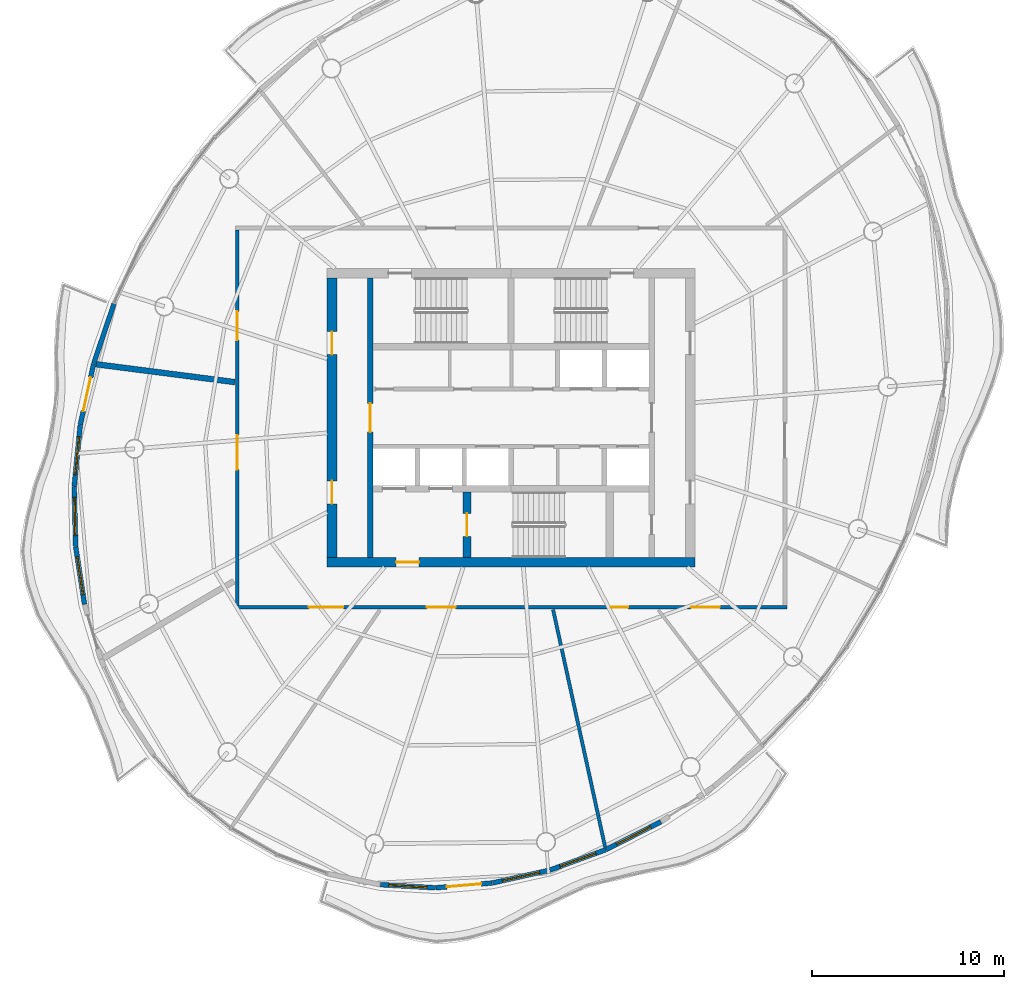
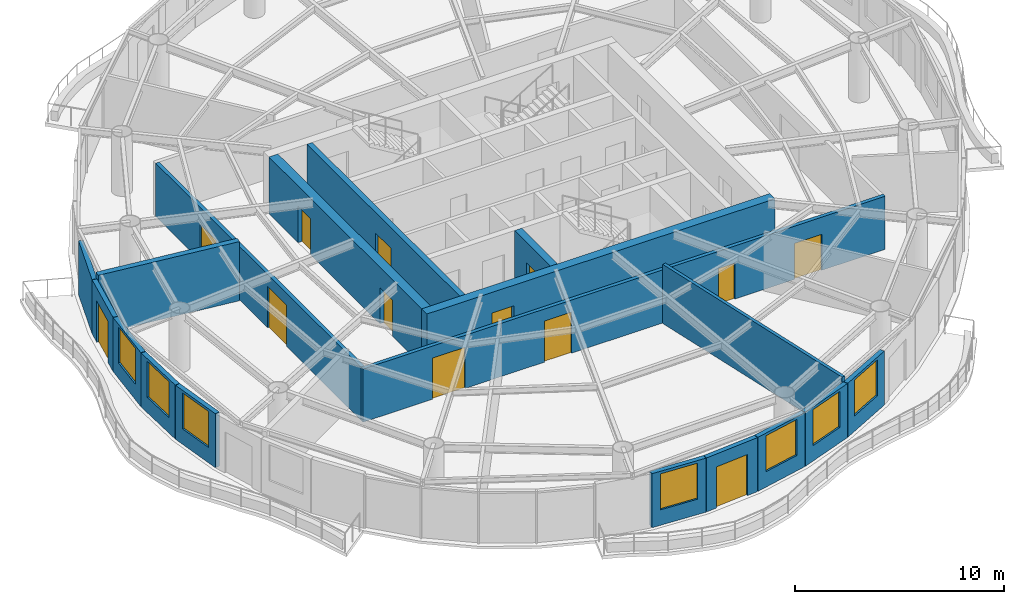
# One storey, part 8 of 14: 18 walls, 13 doors, 7 windows, 20 openings.
"""IFC4 building model written with IfcOpenShell, lengths in metres."""

import ifcopenshell
import ifcopenshell.guid

model = None  # the IFC model being written
_history = None  # IfcOwnerHistory: only IFC2X3 demands one
_inside = {}  # id of a spatial element -> (the spatial element, [elements in it])
_under = {}  # id of a project, library or spatial element -> (it, [spatial elements below it])
_declared = {}  # id of a project -> (the project, [libraries it declares])
_typed = {}  # id of a type object -> (the type object, [elements of that type])
_made_of = {}  # id of a material, layer set ... -> (it, [elements and type objects made of it])


def new_model(schema):
    """Start an empty IFC model of exactly this schema.

    Asked for "IFC4X3", IfcOpenShell would pick the latest addendum, in which some entities
    have other attributes; the version numbers below select the first issue.
    IFC2X3 requires an IfcOwnerHistory on every rooted entity: one is made here for all.
    """
    global model, _history
    if schema == "IFC4X3":
        model = ifcopenshell.file(schema_version=(4, 3, 0, 0))
    else:
        model = ifcopenshell.file(schema=schema)
    _inside.clear()
    _under.clear()
    _declared.clear()
    _typed.clear()
    _made_of.clear()
    _history = None
    if model.schema == "IFC2X3":
        org = make("IfcOrganization", Name="unknown")
        user = make(
            "IfcPersonAndOrganization",
            ThePerson=make("IfcPerson", FamilyName="unknown"),
            TheOrganization=org,
        )
        app = make(
            "IfcApplication",
            ApplicationDeveloper=org,
            Version="unknown",
            ApplicationFullName="unknown",
            ApplicationIdentifier="unknown",
        )
        _history = make(
            "IfcOwnerHistory",
            OwningUser=user,
            OwningApplication=app,
            ChangeAction="ADDED",
            CreationDate=0,
        )
    return model


def make(cls, **values):
    """One entity of the class cls with the attributes given. An attribute that is None is left unset."""
    return model.create_entity(
        cls, **{name: value for name, value in values.items() if value is not None}
    )


def rooted(cls, **values):
    """An entity with a GlobalId (a new one), such as an element, a storey or a relation."""
    return make(cls, GlobalId=ifcopenshell.guid.new(), OwnerHistory=_history, **values)


def si_unit(unit_type, name, prefix=None):
    """IfcSIUnit, for example si_unit("LENGTHUNIT", "METRE", prefix="MILLI")."""
    return make("IfcSIUnit", UnitType=unit_type, Prefix=prefix, Name=name)


def assignment(units):
    """IfcUnitAssignment: the units of a project."""
    return None if units is None else make("IfcUnitAssignment", Units=units)


def point(xyz):
    """IfcCartesianPoint."""
    return None if xyz is None else make("IfcCartesianPoint", Coordinates=xyz)


def direction(xyz):
    """IfcDirection."""
    return None if xyz is None else make("IfcDirection", DirectionRatios=xyz)


def frame(location, z_axis=None, x_axis=None):
    """IfcAxis2Placement3D, a coordinate frame: its origin and axes. An axis left out is left unset."""
    return make(
        "IfcAxis2Placement3D",
        Location=point(location),
        Axis=direction(z_axis),
        RefDirection=direction(x_axis),
    )


def frame_2d(location, x_axis=None):
    """IfcAxis2Placement2D, a coordinate frame in the plane: its origin and x axis."""
    return make(
        "IfcAxis2Placement2D", Location=point(location), RefDirection=direction(x_axis)
    )


def origin():
    """The frame at (0, 0, 0) with its axes left unset."""
    return frame((0.0, 0.0, 0.0))


def place(relative_to, where):
    """IfcLocalPlacement: puts the frame where relative to a parent placement (None: the world)."""
    return make(
        "IfcLocalPlacement", PlacementRelTo=relative_to, RelativePlacement=where
    )


def context(
    kind, dimensions, precision=None, world=None, true_north=None, identifier=None
):
    """IfcGeometricRepresentationContext, for example the 3D "Model" context."""
    return make(
        "IfcGeometricRepresentationContext",
        ContextIdentifier=identifier,
        ContextType=kind,
        CoordinateSpaceDimension=dimensions,
        Precision=precision,
        WorldCoordinateSystem=world,
        TrueNorth=true_north,
    )


def subcontext(parent, identifier, kind, view, scale=None):
    """IfcGeometricRepresentationSubContext, for example "Body" below "Model"."""
    return make(
        "IfcGeometricRepresentationSubContext",
        ContextIdentifier=identifier,
        ContextType=kind,
        ParentContext=parent,
        TargetScale=scale,
        TargetView=view,
    )


def project(units=None, contexts=None):
    """IfcProject with its units and contexts."""
    return rooted(
        "IfcProject",
        Name="project",
        RepresentationContexts=contexts,
        UnitsInContext=assignment(units),
    )


def spatial(cls, under=None, at=None, **own):
    """A site, building, storey or space (cls), placed at a placement, below another one or the project."""
    s = rooted(cls, ObjectPlacement=at, **own)
    if under is not None:
        _under.setdefault(under.id(), (under, []))[1].append(s)
    return s


def profile(cls, at=None, kind="AREA", **sizes):
    """A parametric profile (cls). Its sizes go by their IFC names, for example OverallWidth=200.0."""
    return make(cls, ProfileType=kind, Position=at, **sizes)


def rectangle(**sizes):
    """IfcRectangleProfileDef."""
    return profile("IfcRectangleProfileDef", **sizes)


def extrude(swept, where, along, depth):
    """IfcExtrudedAreaSolid: the profile swept, set in the frame where, extruded along a direction by depth."""
    return make(
        "IfcExtrudedAreaSolid",
        SweptArea=swept,
        Position=where,
        ExtrudedDirection=direction(along),
        Depth=depth,
    )


def shape(context_of_items, identifier, shape_type, items):
    """IfcShapeRepresentation: the items that make up one representation, for example the "Body"."""
    return make(
        "IfcShapeRepresentation",
        ContextOfItems=context_of_items,
        RepresentationIdentifier=identifier,
        RepresentationType=shape_type,
        Items=items,
    )


def material(Name=None, Category=None):
    """IfcMaterial."""
    return make("IfcMaterial", Name=Name, Category=Category)


def layer(
    of_material, thickness, ventilated=None, Name=None, Category=None, Priority=None
):
    """IfcMaterialLayer: one layer of a wall or slab, of a material (None: an air gap)."""
    return make(
        "IfcMaterialLayer",
        Material=of_material,
        LayerThickness=thickness,
        IsVentilated=ventilated,
        Name=Name,
        Category=Category,
        Priority=Priority,
    )


def layer_set(layers, Name=None):
    """IfcMaterialLayerSet."""
    return make("IfcMaterialLayerSet", MaterialLayers=layers, LayerSetName=Name)


def made_of(thing, what):
    """Note that an element or type object is made of a material, layer set ...; save() writes the relation."""
    if what is not None:
        _made_of.setdefault(what.id(), (what, []))[1].append(thing)
    return thing


def type_object(cls, material=None, **own):
    """A type object (cls), such as IfcWallType, which elements share."""
    return made_of(rooted(cls, **own), material)


def element(
    cls,
    number,
    at=None,
    inside=None,
    cuts=None,
    type_object=None,
    material=None,
    context=None,
    identifier="Body",
    shape_type=None,
    held_by="IfcProductDefinitionShape",
    body=None,
    shapes=None,
    **own,
):
    """One element of the class cls, such as IfcWall. Its Tag is "e" and its number.

    at: its placement. inside: the storey or other place that contains it. cuts: it is an
    opening in that element (IfcRelVoidsElement). A single representation is given by context,
    identifier, shape_type and body (its items); several are given by shapes. held_by: the class
    of the entity that holds the representations. save() writes the other relations.
    """
    e = rooted(cls, Tag="e%d" % number, ObjectPlacement=at, **own)
    if body is not None:
        shapes = [shape(context, identifier, shape_type, body)]
    if shapes is not None:
        e.Representation = make(held_by, Representations=shapes)
    if inside is not None:
        _inside.setdefault(inside.id(), (inside, []))[1].append(e)
    if cuts is not None:
        rooted(
            "IfcRelVoidsElement", RelatingBuildingElement=cuts, RelatedOpeningElement=e
        )
    if type_object is not None:
        _typed.setdefault(type_object.id(), (type_object, []))[1].append(e)
    return made_of(e, material)


def fill(opening, filler):
    """IfcRelFillsElement: the door or window that sits in an opening."""
    return rooted(
        "IfcRelFillsElement",
        RelatingOpeningElement=opening,
        RelatedBuildingElement=filler,
    )


def aggregate(whole, parts):
    """IfcRelAggregates: a whole, such as a stair, and the parts it consists of."""
    return rooted("IfcRelAggregates", RelatingObject=whole, RelatedObjects=parts)


def save(model, path):
    """Write the relations noted so far, then the file.

    IfcRelAggregates (storeys below a building ...), IfcRelContainedInSpatialStructure (elements
    in a storey), IfcRelDefinesByType, IfcRelAssociatesMaterial and IfcRelDeclares: one each for
    every whole, place, type object, material and project.
    """
    for whole, parts in _under.values():
        aggregate(whole, parts)
    for where, things in _inside.values():
        rooted(
            "IfcRelContainedInSpatialStructure",
            RelatedElements=things,
            RelatingStructure=where,
        )
    for kind, things in _typed.values():
        rooted("IfcRelDefinesByType", RelatedObjects=things, RelatingType=kind)
    for what, things in _made_of.values():
        rooted("IfcRelAssociatesMaterial", RelatedObjects=things, RelatingMaterial=what)
    for by, libraries in _declared.values():
        rooted("IfcRelDeclares", RelatingContext=by, RelatedDefinitions=libraries)
    model.write(path)


model = new_model("IFC4")

# Units and contexts
model_context = context("Model", 3, precision=1e-05, world=origin(), true_north=direction((0.0, 1.0)))
body_context = subcontext(model_context, "Body", "Model", "MODEL_VIEW")
ifc_project = project(units=[si_unit("LENGTHUNIT", "METRE"), si_unit("AREAUNIT", "SQUARE_METRE"), si_unit("VOLUMEUNIT", "CUBIC_METRE"), si_unit("PLANEANGLEUNIT", "RADIAN"), si_unit("MASSUNIT", "GRAM", prefix="KILO")], contexts=[model_context])

# Site, building, storey
site_placement = place(None, origin())
site = spatial("IfcSite", under=ifc_project, at=site_placement, CompositionType="ELEMENT")
building_placement = place(site_placement, origin())
building = spatial("IfcBuilding", under=site, at=building_placement, Name="Vermilion Reach Broadcast Tower", CompositionType="ELEMENT")
storey_placement = place(building_placement, frame((0.0, 0.0, 257.699951171875)))
storey = spatial("IfcBuildingStorey", under=building, at=storey_placement, Name="L63", CompositionType="ELEMENT", Elevation=257.699951171875)

# Wall, opening, door
ifc_material_1 = material(Name="Concrete C50", Category="concrete")
ifc_layer_1 = layer(ifc_material_1, 0.300048828125)
ifc_layer_set_1 = layer_set([ifc_layer_1], Name="Core inner wall 300 mm Concrete C50")
wall_type_1 = type_object("IfcWallType", Name="Core inner wall 300 mm Concrete C50", PredefinedType="SHEAR", material=ifc_layer_set_1)
wall_1_placement = place(storey_placement, frame((-13.35009765625, 7.300048828125, 0.0), z_axis=(0.0, 0.0, 1.0), x_axis=(0.0, -1.0, 0.0)))
wall_1 = element("IfcWall", 1, at=wall_1_placement, inside=storey, type_object=wall_type_1, Name="L63 core wall ewW", PredefinedType="SHEAR", context=body_context, shape_type="SweptSolid", body=[
    extrude(rectangle(XDim=14.60009765625, YDim=0.300048828125, at=frame_2d((7.300048828125, 0.0))), origin(), (0.0, 0.0, 1.0), 3.300048828125),
])
opening_1_placement = place(wall_1_placement, frame((6.550048828125, 0.0, 0.0)))
opening_1 = element("IfcOpeningElement", 2, at=opening_1_placement, cuts=wall_1, Name="Opening D04", PredefinedType="OPENING", context=body_context, shape_type="SweptSolid", body=[
    extrude(rectangle(XDim=1.5, YDim=2.10009765625, at=frame_2d((0.75, 1.050048828125))), frame((0.0, 0.159912109375, 0.0), z_axis=(0.0, -1.0, 0.0), x_axis=(1.0, 0.0, 0.0)), (0.0, 0.0, 1.0), 0.320068359375),
])
ifc_material_2 = material(Name="Painted steel fire door", Category="steel")
door_type_1 = type_object("IfcDoorType", Name="Lift lobby door 1500 x 2100", OperationType="DOUBLE_DOOR_SINGLE_SWING", PredefinedType="NOTDEFINED", material=ifc_material_2)
door_1_placement = place(opening_1_placement, origin())
door_1 = element("IfcDoor", 3, at=door_1_placement, inside=storey, type_object=door_type_1, Name="L63 band door BW", OperationType="DOUBLE_DOOR_SINGLE_SWING", OverallHeight=2.10009765625, OverallWidth=1.5, PredefinedType="NOTDEFINED", context=body_context, shape_type="SweptSolid", body=[
    extrude(rectangle(XDim=1.5, YDim=2.10009765625, at=frame_2d((0.75, 1.050048828125))), frame((0.0, 0.02490234375, 0.0), z_axis=(0.0, -1.0, 0.0), x_axis=(1.0, 0.0, 0.0)), (0.0, 0.0, 1.0), 0.050048828125),
])
fill(opening_1, door_1)

ifc_material_3 = material(Name="Concrete C50", Category="concrete")
ifc_layer_2 = layer(ifc_material_3, 0.39990234375)
ifc_layer_set_2 = layer_set([ifc_layer_2], Name="Core inner wall 400 mm Concrete C50")
wall_type_2 = type_object("IfcWallType", Name="Core inner wall 400 mm Concrete C50", PredefinedType="SHEAR", material=ifc_layer_set_2)
wall_2_placement = place(storey_placement, frame((-8.300048828125, -3.8798828125, 0.0), z_axis=(0.0, 0.0, 1.0), x_axis=(0.0, -1.0, 0.0)))
wall_2 = element("IfcWall", 4, at=wall_2_placement, inside=storey, type_object=wall_type_2, Name="L63 core wall wa", PredefinedType="SHEAR", context=body_context, shape_type="SweptSolid", body=[
    extrude(rectangle(XDim=3.420166015625, YDim=0.39990234375, at=frame_2d((1.7099609375, 0.0))), origin(), (0.0, 0.0, 1.0), 3.300048828125),
])
opening_2_placement = place(wall_2_placement, frame((1.110107421875, 0.0, 0.0)))
opening_2 = element("IfcOpeningElement", 5, at=opening_2_placement, cuts=wall_2, Name="Opening D01", PredefinedType="OPENING", context=body_context, shape_type="SweptSolid", body=[
    extrude(rectangle(XDim=1.199951171875, YDim=2.10009765625, at=frame_2d((0.60009765625, 1.050048828125))), frame((0.0, 0.2099609375, 0.0), z_axis=(0.0, -1.0, 0.0), x_axis=(1.0, 0.0, 0.0)), (0.0, 0.0, 1.0), 0.419921875),
])
ifc_material_4 = material(Name="Painted steel fire door", Category="steel")
door_type_2 = type_object("IfcDoorType", Name="Stair door 1200 x 2100", OperationType="DOUBLE_DOOR_SINGLE_SWING", PredefinedType="NOTDEFINED", material=ifc_material_4)
door_2_placement = place(opening_2_placement, origin())
door_2 = element("IfcDoor", 6, at=door_2_placement, inside=storey, type_object=door_type_2, Name="L63 stair door ST3", OperationType="DOUBLE_DOOR_SINGLE_SWING", OverallHeight=2.10009765625, OverallWidth=1.199951171875, PredefinedType="NOTDEFINED", context=body_context, shape_type="SweptSolid", body=[
    extrude(rectangle(XDim=1.199951171875, YDim=2.10009765625, at=frame_2d((0.60009765625, 1.050048828125))), frame((0.0, 0.02490234375, 0.0), z_axis=(0.0, -1.0, 0.0), x_axis=(1.0, 0.0, 0.0)), (0.0, 0.0, 1.0), 0.050048828125),
])
fill(opening_2, door_2)

ifc_material_5 = material(Name="Concrete C50", Category="concrete")
ifc_layer_3 = layer(ifc_material_5, 0.5)
ifc_layer_set_3 = layer_set([ifc_layer_3], Name="Core outer wall 500 mm Concrete C50")
wall_type_3 = type_object("IfcWallType", Name="Core outer wall 500 mm Concrete C50", PredefinedType="SHEAR", material=ifc_layer_set_3)
wall_3_placement = place(storey_placement, frame((-15.60009765625, -7.550048828125, 0.0), z_axis=(0.0, 0.0, 1.0), x_axis=(1.0, 0.0, 0.0)))
wall_3 = element("IfcWall", 7, at=wall_3_placement, inside=storey, type_object=wall_type_3, Name="L63 core wall os", PredefinedType="SHEAR", context=body_context, shape_type="SweptSolid", body=[
    extrude(rectangle(XDim=19.2001953125, YDim=0.5, at=frame_2d((9.60009765625, 0.0))), origin(), (0.0, 0.0, 1.0), 3.300048828125),
])
opening_3_placement = place(wall_3_placement, frame((3.60009765625, 0.0, 0.0)))
opening_3 = element("IfcOpeningElement", 8, at=opening_3_placement, cuts=wall_3, Name="Opening D02", PredefinedType="OPENING", context=body_context, shape_type="SweptSolid", body=[
    extrude(rectangle(XDim=1.199951171875, YDim=2.10009765625, at=frame_2d((0.60009765625, 1.050048828125))), frame((0.0, 0.260009765625, 0.0), z_axis=(0.0, -1.0, 0.0), x_axis=(1.0, 0.0, 0.0)), (0.0, 0.0, 1.0), 0.52001953125),
])
ifc_material_6 = material(Name="Painted steel fire door", Category="steel")
door_type_3 = type_object("IfcDoorType", Name="Firefighting lobby door 1200 x 2100", OperationType="DOUBLE_DOOR_SINGLE_SWING", PredefinedType="NOTDEFINED", material=ifc_material_6)
door_3_placement = place(opening_3_placement, origin())
door_3 = element("IfcDoor", 9, at=door_3_placement, inside=storey, type_object=door_type_3, Name="L63 ffdoor door FFL", OperationType="DOUBLE_DOOR_SINGLE_SWING", OverallHeight=2.10009765625, OverallWidth=1.199951171875, PredefinedType="NOTDEFINED", context=body_context, shape_type="SweptSolid", body=[
    extrude(rectangle(XDim=1.199951171875, YDim=2.10009765625, at=frame_2d((0.60009765625, 1.050048828125))), frame((0.0, 0.02490234375, 0.0), z_axis=(0.0, -1.0, 0.0), x_axis=(1.0, 0.0, 0.0)), (0.0, 0.0, 1.0), 0.050048828125),
])
fill(opening_3, door_3)

# Wall, openings, doors
wall_4_placement = place(storey_placement, frame((-15.35009765625, 7.300048828125, 0.0), z_axis=(0.0, 0.0, 1.0), x_axis=(0.0, -1.0, 0.0)))
wall_4 = element("IfcWall", 10, at=wall_4_placement, inside=storey, type_object=wall_type_3, Name="L63 core wall ow", PredefinedType="SHEAR", context=body_context, shape_type="SweptSolid", body=[
    extrude(rectangle(XDim=14.60009765625, YDim=0.5, at=frame_2d((7.300048828125, 0.0))), origin(), (0.0, 0.0, 1.0), 3.300048828125),
])
opening_4_placement = place(wall_4_placement, frame((10.60009765625, 0.0, 0.0)))
opening_4 = element("IfcOpeningElement", 11, at=opening_4_placement, cuts=wall_4, Name="Opening D03", PredefinedType="OPENING", context=body_context, shape_type="SweptSolid", body=[
    extrude(rectangle(XDim=1.199951171875, YDim=2.10009765625, at=frame_2d((0.60009765625, 1.050048828125))), frame((0.0, 0.260009765625, 0.0), z_axis=(0.0, -1.0, 0.0), x_axis=(1.0, 0.0, 0.0)), (0.0, 0.0, 1.0), 0.52001953125),
])
opening_5_placement = place(wall_4_placement, frame((2.800048828125, 0.0, 0.0)))
opening_5 = element("IfcOpeningElement", 12, at=opening_5_placement, cuts=wall_4, Name="Opening D03", PredefinedType="OPENING", context=body_context, shape_type="SweptSolid", body=[
    extrude(rectangle(XDim=1.199951171875, YDim=2.10009765625, at=frame_2d((0.60009765625, 1.050048828125))), frame((0.0, 0.260009765625, 0.0), z_axis=(0.0, -1.0, 0.0), x_axis=(1.0, 0.0, 0.0)), (0.0, 0.0, 1.0), 0.52001953125),
])
ifc_material_7 = material(Name="Painted steel fire door", Category="steel")
door_type_4 = type_object("IfcDoorType", Name="Core lobby door 1200 x 2100", OperationType="DOUBLE_DOOR_SINGLE_SWING", PredefinedType="NOTDEFINED", material=ifc_material_7)
door_4_placement = place(opening_4_placement, origin())
door_4 = element("IfcDoor", 13, at=door_4_placement, inside=storey, type_object=door_type_4, Name="L63 slot door W0", OperationType="DOUBLE_DOOR_SINGLE_SWING", OverallHeight=2.10009765625, OverallWidth=1.199951171875, PredefinedType="NOTDEFINED", context=body_context, shape_type="SweptSolid", body=[
    extrude(rectangle(XDim=1.199951171875, YDim=2.10009765625, at=frame_2d((0.60009765625, 1.050048828125))), frame((0.0, 0.02490234375, 0.0), z_axis=(0.0, -1.0, 0.0), x_axis=(1.0, 0.0, 0.0)), (0.0, 0.0, 1.0), 0.050048828125),
])
fill(opening_4, door_4)
door_5_placement = place(opening_5_placement, origin())
door_5 = element("IfcDoor", 14, at=door_5_placement, inside=storey, type_object=door_type_4, Name="L63 slot door W1", OperationType="DOUBLE_DOOR_SINGLE_SWING", OverallHeight=2.10009765625, OverallWidth=1.199951171875, PredefinedType="NOTDEFINED", context=body_context, shape_type="SweptSolid", body=[
    extrude(rectangle(XDim=1.199951171875, YDim=2.10009765625, at=frame_2d((0.60009765625, 1.050048828125))), frame((0.0, 0.02490234375, 0.0), z_axis=(0.0, -1.0, 0.0), x_axis=(1.0, 0.0, 0.0)), (0.0, 0.0, 1.0), 0.050048828125),
])
fill(opening_5, door_5)

# Walls
ifc_material_8 = material(Name="Fire-rated block, plastered")
ifc_layer_4 = layer(ifc_material_8, 0.175048828125)
ifc_layer_set_4 = layer_set([ifc_layer_4], Name="Partition 175 fire-rated block")
wall_type_4 = type_object("IfcWallType", Name="Partition 175 fire-rated block", PredefinedType="PARTITIONING", material=ifc_layer_set_4)
wall_5_placement = place(storey_placement, frame((-1.08349609375, -22.436767578125, 0.0), z_axis=(0.0, 0.0, 1.0), x_axis=(-0.214054252259, 0.976821773452, 0.0)))
element("IfcWall", 15, at=wall_5_placement, inside=storey, type_object=wall_type_4, Name="Partition 63.06", PredefinedType="PARTITIONING", context=body_context, shape_type="SweptSolid", body=[
    extrude(rectangle(XDim=12.712646484375, YDim=0.175048828125, at=frame_2d((6.3564453125, 0.0))), origin(), (0.0, 0.0, 1.0), 3.449951171875),
])
ifc_material_9 = material(Name="Double-leaf plasterboard on isolated steel stud", Category="steel")
ifc_layer_5 = layer(ifc_material_9, 0.300048828125)
ifc_layer_set_5 = layer_set([ifc_layer_5], Name="Partition 300 acoustic double leaf")
wall_type_5 = type_object("IfcWallType", Name="Partition 300 acoustic double leaf", PredefinedType="PARTITIONING", material=ifc_layer_set_5)
wall_6_placement = place(storey_placement, frame((-27.67431640625, 2.794921875, 0.0), z_axis=(0.0, 0.0, 1.0), x_axis=(0.991788248046, -0.127890855958, 0.0)))
element("IfcWall", 16, at=wall_6_placement, inside=storey, type_object=wall_type_5, Name="Partition 63.03", PredefinedType="PARTITIONING", context=body_context, shape_type="SweptSolid", body=[
    extrude(rectangle(XDim=7.315185546875, YDim=0.300048828125, at=frame_2d((3.65771484375, 0.0))), origin(), (0.0, 0.0, 1.0), 3.449951171875),
])
ifc_material_10 = material(Name="Terracotta rainscreen cladding", Category="masonry")
ifc_layer_6 = layer(ifc_material_10, 0.25)
ifc_layer_set_6 = layer_set([ifc_layer_6], Name="Terracotta rainscreen wall 250")
wall_type_6 = type_object("IfcWallType", Name="Terracotta rainscreen wall 250", PredefinedType="SOLIDWALL", material=ifc_layer_set_6)
wall_7_placement = place(storey_placement, frame((-26.736572265625, 5.941162109375, 0.0), z_axis=(0.0, 0.0, 1.0), x_axis=(-0.32181056212, -0.946804077995, 0.0)))
element("IfcWall", 17, at=wall_7_placement, inside=storey, type_object=wall_type_6, Name="External wall L63 14", PredefinedType="SOLIDWALL", context=body_context, shape_type="SweptSolid", body=[
    extrude(rectangle(XDim=3.276611328125, YDim=0.25, at=frame_2d((1.63818359375, 0.0))), origin(), (0.0, 0.0, 1.0), 3.150146484375),
])

# Wall, opening, door
wall_8_placement = place(storey_placement, frame((-27.796875, 2.817626953125, 0.0), z_axis=(0.0, 0.0, 1.0), x_axis=(-0.213366888583, -0.97697214436, 0.0)))
wall_8 = element("IfcWall", 18, at=wall_8_placement, inside=storey, type_object=wall_type_6, Name="External wall L63 15", PredefinedType="SOLIDWALL", context=body_context, shape_type="SweptSolid", body=[
    extrude(rectangle(XDim=3.265625, YDim=0.25, at=frame_2d((1.6328125, 0.0))), origin(), (0.0, 0.0, 1.0), 3.150146484375),
])
opening_6_placement = place(wall_8_placement, frame((0.73291015625, 0.0, 0.0)))
opening_6 = element("IfcOpeningElement", 19, at=opening_6_placement, cuts=wall_8, Name="Opening D70", PredefinedType="OPENING", context=body_context, shape_type="SweptSolid", body=[
    extrude(rectangle(XDim=1.800048828125, YDim=2.39990234375, at=frame_2d((0.89990234375, 1.199951171875))), frame((0.0, 0.135009765625, 0.0), z_axis=(0.0, -1.0, 0.0), x_axis=(1.0, 0.0, 0.0)), (0.0, 0.0, 1.0), 0.27001953125),
])
ifc_material_11 = material(Name="Low-e laminated clear glass in aluminium frame", Category="aluminium")
door_type_5 = type_object("IfcDoorType", Name="Balcony sliding door 1800 x 2400", OperationType="DOUBLE_DOOR_SLIDING", PredefinedType="DOOR", material=ifc_material_11)
door_6_placement = place(opening_6_placement, origin())
door_6 = element("IfcDoor", 20, at=door_6_placement, inside=storey, type_object=door_type_5, Name="Balcony door L63 run 04", OperationType="DOUBLE_DOOR_SLIDING", OverallHeight=2.39990234375, OverallWidth=1.800048828125, PredefinedType="DOOR", context=body_context, shape_type="SweptSolid", body=[
    extrude(rectangle(XDim=1.800048828125, YDim=2.39990234375, at=frame_2d((0.89990234375, 1.199951171875))), frame((0.0, 0.02490234375, 0.0), z_axis=(0.0, -1.0, 0.0), x_axis=(1.0, 0.0, 0.0)), (0.0, 0.0, 1.0), 0.050048828125),
])
fill(opening_6, door_6)

# Wall, opening, window
wall_9_placement = place(storey_placement, frame((-28.4970703125, -0.395263671875, 0.0), z_axis=(0.0, 0.0, 1.0), x_axis=(-0.097900668903, -0.995196191225, 0.0)))
wall_9 = element("IfcWall", 21, at=wall_9_placement, inside=storey, type_object=wall_type_6, Name="External wall L63 16", PredefinedType="SOLIDWALL", context=body_context, shape_type="SweptSolid", body=[
    extrude(rectangle(XDim=3.197021484375, YDim=0.25, at=frame_2d((1.5986328125, 0.0))), origin(), (0.0, 0.0, 1.0), 3.150146484375),
])
opening_7_placement = place(wall_9_placement, frame((0.5986328125, 0.0, 0.89990234375)))
opening_7 = element("IfcOpeningElement", 22, at=opening_7_placement, cuts=wall_9, Name="Opening W03", PredefinedType="OPENING", context=body_context, shape_type="SweptSolid", body=[
    extrude(rectangle(XDim=2.0, YDim=2.10009765625, at=frame_2d((1.0, 1.050048828125))), frame((0.0, 0.135009765625, 0.0), z_axis=(0.0, -1.0, 0.0), x_axis=(1.0, 0.0, 0.0)), (0.0, 0.0, 1.0), 0.27001953125),
])
ifc_material_12 = material(Name="Low-e laminated clear glass in aluminium frame", Category="aluminium")
window_type = type_object("IfcWindowType", Name="Punched window 2000 x 2100 sill 900", PartitioningType="SINGLE_PANEL", PredefinedType="WINDOW", material=ifc_material_12)
window_1_placement = place(opening_7_placement, origin())
window_1 = element("IfcWindow", 23, at=window_1_placement, inside=storey, type_object=window_type, Name="Window L63 16", OverallHeight=2.10009765625, OverallWidth=2.0, PartitioningType="SINGLE_PANEL", PredefinedType="WINDOW", context=body_context, shape_type="SweptSolid", body=[
    extrude(rectangle(XDim=2.0, YDim=2.10009765625, at=frame_2d((1.0, 1.050048828125))), frame((0.0, 0.030029296875, 0.0), z_axis=(0.0, -1.0, 0.0), x_axis=(1.0, 0.0, 0.0)), (0.0, 0.0, 1.0), 0.06005859375),
])
fill(opening_7, window_1)

wall_10_placement = place(storey_placement, frame((-28.81103515625, -3.600341796875, 0.0), z_axis=(0.0, 0.0, 1.0), x_axis=(0.024112016682, -0.999709263062, 0.0)))
wall_10 = element("IfcWall", 24, at=wall_10_placement, inside=storey, type_object=wall_type_6, Name="External wall L63 17", PredefinedType="SOLIDWALL", context=body_context, shape_type="SweptSolid", body=[
    extrude(rectangle(XDim=3.11865234375, YDim=0.25, at=frame_2d((1.559326171875, 0.0))), origin(), (0.0, 0.0, 1.0), 3.150146484375),
])
opening_8_placement = place(wall_10_placement, frame((0.559326171875, 0.0, 0.89990234375)))
opening_8 = element("IfcOpeningElement", 25, at=opening_8_placement, cuts=wall_10, Name="Opening W03", PredefinedType="OPENING", context=body_context, shape_type="SweptSolid", body=[
    extrude(rectangle(XDim=2.0, YDim=2.10009765625, at=frame_2d((1.0, 1.050048828125))), frame((0.0, 0.135009765625, 0.0), z_axis=(0.0, -1.0, 0.0), x_axis=(1.0, 0.0, 0.0)), (0.0, 0.0, 1.0), 0.27001953125),
])
window_2_placement = place(opening_8_placement, origin())
window_2 = element("IfcWindow", 26, at=window_2_placement, inside=storey, type_object=window_type, Name="Window L63 17", OverallHeight=2.10009765625, OverallWidth=2.0, PartitioningType="SINGLE_PANEL", PredefinedType="WINDOW", context=body_context, shape_type="SweptSolid", body=[
    extrude(rectangle(XDim=2.0, YDim=2.10009765625, at=frame_2d((1.0, 1.050048828125))), frame((0.0, 0.030029296875, 0.0), z_axis=(0.0, -1.0, 0.0), x_axis=(1.0, 0.0, 0.0)), (0.0, 0.0, 1.0), 0.06005859375),
])
fill(opening_8, window_2)

wall_11_placement = place(storey_placement, frame((-28.733642578125, -6.741943359375, 0.0), z_axis=(0.0, 0.0, 1.0), x_axis=(0.151930263347, -0.988391215602, 0.0)))
wall_11 = element("IfcWall", 27, at=wall_11_placement, inside=storey, type_object=wall_type_6, Name="External wall L63 18", PredefinedType="SOLIDWALL", context=body_context, shape_type="SweptSolid", body=[
    extrude(rectangle(XDim=3.035400390625, YDim=0.25, at=frame_2d((1.517578125, 0.0))), origin(), (0.0, 0.0, 1.0), 3.150146484375),
])
opening_9_placement = place(wall_11_placement, frame((0.517822265625, 0.0, 0.89990234375)))
opening_9 = element("IfcOpeningElement", 28, at=opening_9_placement, cuts=wall_11, Name="Opening W03", PredefinedType="OPENING", context=body_context, shape_type="SweptSolid", body=[
    extrude(rectangle(XDim=2.0, YDim=2.10009765625, at=frame_2d((1.0, 1.050048828125))), frame((0.0, 0.135009765625, 0.0), z_axis=(0.0, -1.0, 0.0), x_axis=(1.0, 0.0, 0.0)), (0.0, 0.0, 1.0), 0.27001953125),
])
window_3_placement = place(opening_9_placement, origin())
window_3 = element("IfcWindow", 29, at=window_3_placement, inside=storey, type_object=window_type, Name="Window L63 18", OverallHeight=2.10009765625, OverallWidth=2.0, PartitioningType="SINGLE_PANEL", PredefinedType="WINDOW", context=body_context, shape_type="SweptSolid", body=[
    extrude(rectangle(XDim=2.0, YDim=2.10009765625, at=frame_2d((1.0, 1.050048828125))), frame((0.0, 0.030029296875, 0.0), z_axis=(0.0, -1.0, 0.0), x_axis=(1.0, 0.0, 0.0)), (0.0, 0.0, 1.0), 0.06005859375),
])
fill(opening_9, window_3)

wall_12_placement = place(storey_placement, frame((-12.824462890625, -24.381591796875, 0.0), z_axis=(0.0, 0.0, 1.0), x_axis=(0.998361927318, -0.057214177282, 0.0)))
wall_12 = element("IfcWall", 30, at=wall_12_placement, inside=storey, type_object=wall_type_6, Name="External wall L63 27", PredefinedType="SOLIDWALL", context=body_context, shape_type="SweptSolid", body=[
    extrude(rectangle(XDim=2.8759765625, YDim=0.25, at=frame_2d((1.43798828125, 0.0))), origin(), (0.0, 0.0, 1.0), 3.150146484375),
])
opening_10_placement = place(wall_12_placement, frame((0.438232421875, 0.0, 0.89990234375)))
opening_10 = element("IfcOpeningElement", 31, at=opening_10_placement, cuts=wall_12, Name="Opening W03", PredefinedType="OPENING", context=body_context, shape_type="SweptSolid", body=[
    extrude(rectangle(XDim=2.0, YDim=2.10009765625, at=frame_2d((1.0, 1.050048828125))), frame((0.0, 0.135009765625, 0.0), z_axis=(0.0, -1.0, 0.0), x_axis=(1.0, 0.0, 0.0)), (0.0, 0.0, 1.0), 0.27001953125),
])
window_4_placement = place(opening_10_placement, origin())
window_4 = element("IfcWindow", 32, at=window_4_placement, inside=storey, type_object=window_type, Name="Window L63 27", OverallHeight=2.10009765625, OverallWidth=2.0, PartitioningType="SINGLE_PANEL", PredefinedType="WINDOW", context=body_context, shape_type="SweptSolid", body=[
    extrude(rectangle(XDim=2.0, YDim=2.10009765625, at=frame_2d((1.0, 1.050048828125))), frame((0.0, 0.030029296875, 0.0), z_axis=(0.0, -1.0, 0.0), x_axis=(1.0, 0.0, 0.0)), (0.0, 0.0, 1.0), 0.06005859375),
])
fill(opening_10, window_4)

# Wall, opening, door
wall_13_placement = place(storey_placement, frame((-9.92724609375, -24.545654296875, 0.0), z_axis=(0.0, 0.0, 1.0), x_axis=(0.996387742916, 0.084920349541, 0.0)))
wall_13 = element("IfcWall", 33, at=wall_13_placement, inside=storey, type_object=wall_type_6, Name="External wall L63 28", PredefinedType="SOLIDWALL", context=body_context, shape_type="SweptSolid", body=[
    extrude(rectangle(XDim=2.95263671875, YDim=0.25, at=frame_2d((1.476318359375, 0.0))), origin(), (0.0, 0.0, 1.0), 3.150146484375),
])
opening_11_placement = place(wall_13_placement, frame((0.575927734375, 0.0, 0.0)))
opening_11 = element("IfcOpeningElement", 34, at=opening_11_placement, cuts=wall_13, Name="Opening D70", PredefinedType="OPENING", context=body_context, shape_type="SweptSolid", body=[
    extrude(rectangle(XDim=1.800048828125, YDim=2.39990234375, at=frame_2d((0.89990234375, 1.199951171875))), frame((0.0, 0.135009765625, 0.0), z_axis=(0.0, -1.0, 0.0), x_axis=(1.0, 0.0, 0.0)), (0.0, 0.0, 1.0), 0.27001953125),
])
door_7_placement = place(opening_11_placement, origin())
door_7 = element("IfcDoor", 35, at=door_7_placement, inside=storey, type_object=door_type_5, Name="Balcony door L63 run 07", OperationType="DOUBLE_DOOR_SLIDING", OverallHeight=2.39990234375, OverallWidth=1.800048828125, PredefinedType="DOOR", context=body_context, shape_type="SweptSolid", body=[
    extrude(rectangle(XDim=1.800048828125, YDim=2.39990234375, at=frame_2d((0.89990234375, 1.199951171875))), frame((0.0, 0.02490234375, 0.0), z_axis=(0.0, -1.0, 0.0), x_axis=(1.0, 0.0, 0.0)), (0.0, 0.0, 1.0), 0.050048828125),
])
fill(opening_11, door_7)

# Wall, opening, window
wall_14_placement = place(storey_placement, frame((-6.960693359375, -24.291015625, 0.0), z_axis=(0.0, 0.0, 1.0), x_axis=(0.975828037389, 0.218539793734, 0.0)))
wall_14 = element("IfcWall", 36, at=wall_14_placement, inside=storey, type_object=wall_type_6, Name="External wall L63 29", PredefinedType="SOLIDWALL", context=body_context, shape_type="SweptSolid", body=[
    extrude(rectangle(XDim=3.035400390625, YDim=0.25, at=frame_2d((1.517578125, 0.0))), origin(), (0.0, 0.0, 1.0), 3.150146484375),
])
opening_12_placement = place(wall_14_placement, frame((0.517822265625, 0.0, 0.89990234375)))
opening_12 = element("IfcOpeningElement", 37, at=opening_12_placement, cuts=wall_14, Name="Opening W03", PredefinedType="OPENING", context=body_context, shape_type="SweptSolid", body=[
    extrude(rectangle(XDim=2.0, YDim=2.10009765625, at=frame_2d((1.0, 1.050048828125))), frame((0.0, 0.135009765625, 0.0), z_axis=(0.0, -1.0, 0.0), x_axis=(1.0, 0.0, 0.0)), (0.0, 0.0, 1.0), 0.27001953125),
])
window_5_placement = place(opening_12_placement, origin())
window_5 = element("IfcWindow", 38, at=window_5_placement, inside=storey, type_object=window_type, Name="Window L63 29", OverallHeight=2.10009765625, OverallWidth=2.0, PartitioningType="SINGLE_PANEL", PredefinedType="WINDOW", context=body_context, shape_type="SweptSolid", body=[
    extrude(rectangle(XDim=2.0, YDim=2.10009765625, at=frame_2d((1.0, 1.050048828125))), frame((0.0, 0.030029296875, 0.0), z_axis=(0.0, -1.0, 0.0), x_axis=(1.0, 0.0, 0.0)), (0.0, 0.0, 1.0), 0.06005859375),
])
fill(opening_12, window_5)

wall_15_placement = place(storey_placement, frame((-3.9755859375, -23.62109375, 0.0), z_axis=(0.0, 0.0, 1.0), x_axis=(0.93980485135, 0.341711634831, 0.0)))
wall_15 = element("IfcWall", 39, at=wall_15_placement, inside=storey, type_object=wall_type_6, Name="External wall L63 30", PredefinedType="SOLIDWALL", context=body_context, shape_type="SweptSolid", body=[
    extrude(rectangle(XDim=3.11865234375, YDim=0.25, at=frame_2d((1.559326171875, 0.0))), origin(), (0.0, 0.0, 1.0), 3.150146484375),
])
opening_13_placement = place(wall_15_placement, frame((0.559326171875, 0.0, 0.89990234375)))
opening_13 = element("IfcOpeningElement", 40, at=opening_13_placement, cuts=wall_15, Name="Opening W03", PredefinedType="OPENING", context=body_context, shape_type="SweptSolid", body=[
    extrude(rectangle(XDim=2.0, YDim=2.10009765625, at=frame_2d((1.0, 1.050048828125))), frame((0.0, 0.135009765625, 0.0), z_axis=(0.0, -1.0, 0.0), x_axis=(1.0, 0.0, 0.0)), (0.0, 0.0, 1.0), 0.27001953125),
])
window_6_placement = place(opening_13_placement, origin())
window_6 = element("IfcWindow", 41, at=window_6_placement, inside=storey, type_object=window_type, Name="Window L63 30", OverallHeight=2.10009765625, OverallWidth=2.0, PartitioningType="SINGLE_PANEL", PredefinedType="WINDOW", context=body_context, shape_type="SweptSolid", body=[
    extrude(rectangle(XDim=2.0, YDim=2.10009765625, at=frame_2d((1.0, 1.050048828125))), frame((0.0, 0.030029296875, 0.0), z_axis=(0.0, -1.0, 0.0), x_axis=(1.0, 0.0, 0.0)), (0.0, 0.0, 1.0), 0.06005859375),
])
fill(opening_13, window_6)

wall_16_placement = place(storey_placement, frame((-1.023193359375, -22.546142578125, 0.0), z_axis=(0.0, 0.0, 1.0), x_axis=(0.891165922341, 0.453677527389, 0.0)))
wall_16 = element("IfcWall", 42, at=wall_16_placement, inside=storey, type_object=wall_type_6, Name="External wall L63 31", PredefinedType="SOLIDWALL", context=body_context, shape_type="SweptSolid", body=[
    extrude(rectangle(XDim=3.197021484375, YDim=0.25, at=frame_2d((1.5986328125, 0.0))), origin(), (0.0, 0.0, 1.0), 3.150146484375),
])
opening_14_placement = place(wall_16_placement, frame((0.5986328125, 0.0, 0.89990234375)))
opening_14 = element("IfcOpeningElement", 43, at=opening_14_placement, cuts=wall_16, Name="Opening W03", PredefinedType="OPENING", context=body_context, shape_type="SweptSolid", body=[
    extrude(rectangle(XDim=2.0, YDim=2.10009765625, at=frame_2d((1.0, 1.050048828125))), frame((0.0, 0.135009765625, 0.0), z_axis=(0.0, -1.0, 0.0), x_axis=(1.0, 0.0, 0.0)), (0.0, 0.0, 1.0), 0.27001953125),
])
window_7_placement = place(opening_14_placement, origin())
window_7 = element("IfcWindow", 44, at=window_7_placement, inside=storey, type_object=window_type, Name="Window L63 31", OverallHeight=2.10009765625, OverallWidth=2.0, PartitioningType="SINGLE_PANEL", PredefinedType="WINDOW", context=body_context, shape_type="SweptSolid", body=[
    extrude(rectangle(XDim=2.0, YDim=2.10009765625, at=frame_2d((1.0, 1.050048828125))), frame((0.0, 0.030029296875, 0.0), z_axis=(0.0, -1.0, 0.0), x_axis=(1.0, 0.0, 0.0)), (0.0, 0.0, 1.0), 0.06005859375),
])
fill(opening_14, window_7)

# Wall, openings, doors
ifc_material_13 = material(Name="Fire-rated gypsum board partition")
ifc_layer_7 = layer(ifc_material_13, 0.199951171875)
ifc_layer_set_7 = layer_set([ifc_layer_7], Name="Under girder: Corridor wall 200 fire-rated")
wall_type_7 = type_object("IfcWallType", Name="Under girder: Corridor wall 200 fire-rated", PredefinedType="PARTITIONING", material=ifc_layer_set_7)
wall_17_placement = place(storey_placement, frame((8.39990234375, -9.89990234375, 0.0), z_axis=(0.0, 0.0, 1.0), x_axis=(-1.0, 0.0, 0.0)))
wall_17 = element("IfcWall", 45, at=wall_17_placement, inside=storey, type_object=wall_type_7, Name="Corridor wall 63.S", PredefinedType="PARTITIONING", context=body_context, shape_type="SweptSolid", body=[
    extrude(rectangle(XDim=28.7998046875, YDim=0.199951171875, at=frame_2d((14.39990234375, 0.0))), origin(), (0.0, 0.0, 1.0), 3.10009765625),
])
opening_15_placement = place(wall_17_placement, frame((23.15869140625, 0.0, 0.0)))
opening_15 = element("IfcOpeningElement", 46, at=opening_15_placement, cuts=wall_17, Name="Opening D27", PredefinedType="OPENING", context=body_context, shape_type="SweptSolid", body=[
    extrude(rectangle(XDim=1.800048828125, YDim=2.39990234375, at=frame_2d((0.89990234375, 1.199951171875))), frame((0.0, 0.10986328125, 0.0), z_axis=(0.0, -1.0, 0.0), x_axis=(1.0, 0.0, 0.0)), (0.0, 0.0, 1.0), 0.219970703125),
])
opening_16_placement = place(wall_17_placement, frame((17.29638671875, 0.0, 0.0)))
opening_16 = element("IfcOpeningElement", 47, at=opening_16_placement, cuts=wall_17, Name="Opening D25", PredefinedType="OPENING", context=body_context, shape_type="SweptSolid", body=[
    extrude(rectangle(XDim=1.5, YDim=2.39990234375, at=frame_2d((0.75, 1.199951171875))), frame((0.0, 0.10986328125, 0.0), z_axis=(0.0, -1.0, 0.0), x_axis=(1.0, 0.0, 0.0)), (0.0, 0.0, 1.0), 0.219970703125),
])
opening_17_placement = place(wall_17_placement, frame((8.2841796875, 0.0, 0.0)))
opening_17 = element("IfcOpeningElement", 48, at=opening_17_placement, cuts=wall_17, Name="Opening D22", PredefinedType="OPENING", context=body_context, shape_type="SweptSolid", body=[
    extrude(rectangle(XDim=0.89990234375, YDim=2.10009765625, at=frame_2d((0.449951171875, 1.050048828125))), frame((0.0, 0.10986328125, 0.0), z_axis=(0.0, -1.0, 0.0), x_axis=(1.0, 0.0, 0.0)), (0.0, 0.0, 1.0), 0.219970703125),
])
opening_18_placement = place(wall_17_placement, frame((3.49658203125, 0.0, 0.0)))
opening_18 = element("IfcOpeningElement", 49, at=opening_18_placement, cuts=wall_17, Name="Opening D24", PredefinedType="OPENING", context=body_context, shape_type="SweptSolid", body=[
    extrude(rectangle(XDim=1.5, YDim=2.10009765625, at=frame_2d((0.75, 1.050048828125))), frame((0.0, 0.10986328125, 0.0), z_axis=(0.0, -1.0, 0.0), x_axis=(1.0, 0.0, 0.0)), (0.0, 0.0, 1.0), 0.219970703125),
])
ifc_material_14 = material(Name="Timber door leaf", Category="wood")
door_type_6 = type_object("IfcDoorType", Name="Door pair 1500x2100", OperationType="NOTDEFINED", PredefinedType="DOOR", material=ifc_material_14)
door_8_placement = place(opening_18_placement, origin())
door_8 = element("IfcDoor", 50, at=door_8_placement, inside=storey, type_object=door_type_6, Name="Door 63.07", OperationType="DOUBLE_DOOR_SINGLE_SWING", OverallHeight=2.10009765625, OverallWidth=1.5, PredefinedType="DOOR", context=body_context, shape_type="SweptSolid", body=[
    extrude(rectangle(XDim=1.5, YDim=2.10009765625, at=frame_2d((0.75, 1.050048828125))), frame((0.0, 0.02490234375, 0.0), z_axis=(0.0, -1.0, 0.0), x_axis=(1.0, 0.0, 0.0)), (0.0, 0.0, 1.0), 0.050048828125),
])
fill(opening_18, door_8)
ifc_material_15 = material(Name="Glazed timber door leaf", Category="wood")
door_type_7 = type_object("IfcDoorType", Name="Door pair 1500x2400", OperationType="NOTDEFINED", PredefinedType="DOOR", material=ifc_material_15)
door_9_placement = place(opening_16_placement, origin())
door_9 = element("IfcDoor", 51, at=door_9_placement, inside=storey, type_object=door_type_7, Name="Door 63.05", OperationType="DOUBLE_DOOR_SINGLE_SWING", OverallHeight=2.39990234375, OverallWidth=1.5, PredefinedType="DOOR", context=body_context, shape_type="SweptSolid", body=[
    extrude(rectangle(XDim=1.5, YDim=2.39990234375, at=frame_2d((0.75, 1.199951171875))), frame((0.0, 0.02490234375, 0.0), z_axis=(0.0, -1.0, 0.0), x_axis=(1.0, 0.0, 0.0)), (0.0, 0.0, 1.0), 0.050048828125),
])
fill(opening_16, door_9)
ifc_material_16 = material(Name="Acoustic timber door leaf", Category="wood")
door_type_8 = type_object("IfcDoorType", Name="Door pair 1800x2400", OperationType="NOTDEFINED", PredefinedType="DOOR", material=ifc_material_16)
door_10_placement = place(opening_15_placement, origin())
door_10 = element("IfcDoor", 52, at=door_10_placement, inside=storey, type_object=door_type_8, Name="Door 63.04", OperationType="DOUBLE_DOOR_SINGLE_SWING", OverallHeight=2.39990234375, OverallWidth=1.800048828125, PredefinedType="DOOR", context=body_context, shape_type="SweptSolid", body=[
    extrude(rectangle(XDim=1.800048828125, YDim=2.39990234375, at=frame_2d((0.89990234375, 1.199951171875))), frame((0.0, 0.02490234375, 0.0), z_axis=(0.0, -1.0, 0.0), x_axis=(1.0, 0.0, 0.0)), (0.0, 0.0, 1.0), 0.050048828125),
])
fill(opening_15, door_10)
ifc_material_17 = material(Name="Timber door leaf", Category="wood")
door_type_9 = type_object("IfcDoorType", Name="Door single 900x2100", OperationType="NOTDEFINED", PredefinedType="DOOR", material=ifc_material_17)
door_11_placement = place(opening_17_placement, origin())
door_11 = element("IfcDoor", 53, at=door_11_placement, inside=storey, type_object=door_type_9, Name="Door 63.06", OperationType="SINGLE_SWING_LEFT", OverallHeight=2.10009765625, OverallWidth=0.89990234375, PredefinedType="DOOR", context=body_context, shape_type="SweptSolid", body=[
    extrude(rectangle(XDim=0.89990234375, YDim=2.10009765625, at=frame_2d((0.449951171875, 1.050048828125))), frame((0.0, 0.02490234375, 0.0), z_axis=(0.0, -1.0, 0.0), x_axis=(1.0, 0.0, 0.0)), (0.0, 0.0, 1.0), 0.050048828125),
])
fill(opening_17, door_11)

wall_18_placement = place(storey_placement, frame((-20.300048828125, -9.800048828125, 0.0), z_axis=(0.0, 0.0, 1.0), x_axis=(0.0, 1.0, 0.0)))
wall_18 = element("IfcWall", 54, at=wall_18_placement, inside=storey, type_object=wall_type_7, Name="Corridor wall 63.W", PredefinedType="PARTITIONING", context=body_context, shape_type="SweptSolid", body=[
    extrude(rectangle(XDim=19.60009765625, YDim=0.199951171875, at=frame_2d((9.800048828125, 0.0))), origin(), (0.0, 0.0, 1.0), 3.10009765625),
])
opening_19_placement = place(wall_18_placement, frame((13.849853515625, 0.0, 0.0)))
opening_19 = element("IfcOpeningElement", 55, at=opening_19_placement, cuts=wall_18, Name="Opening D24", PredefinedType="OPENING", context=body_context, shape_type="SweptSolid", body=[
    extrude(rectangle(XDim=1.5, YDim=2.10009765625, at=frame_2d((0.75, 1.050048828125))), frame((0.0, 0.10986328125, 0.0), z_axis=(0.0, -1.0, 0.0), x_axis=(1.0, 0.0, 0.0)), (0.0, 0.0, 1.0), 0.219970703125),
])
opening_20_placement = place(wall_18_placement, frame((7.09228515625, 0.0, 0.0)))
opening_20 = element("IfcOpeningElement", 56, at=opening_20_placement, cuts=wall_18, Name="Opening D27", PredefinedType="OPENING", context=body_context, shape_type="SweptSolid", body=[
    extrude(rectangle(XDim=1.800048828125, YDim=2.39990234375, at=frame_2d((0.89990234375, 1.199951171875))), frame((0.0, 0.10986328125, 0.0), z_axis=(0.0, -1.0, 0.0), x_axis=(1.0, 0.0, 0.0)), (0.0, 0.0, 1.0), 0.219970703125),
])
door_12_placement = place(opening_19_placement, origin())
door_12 = element("IfcDoor", 57, at=door_12_placement, inside=storey, type_object=door_type_6, Name="Door 63.02", OperationType="DOUBLE_DOOR_SINGLE_SWING", OverallHeight=2.10009765625, OverallWidth=1.5, PredefinedType="DOOR", context=body_context, shape_type="SweptSolid", body=[
    extrude(rectangle(XDim=1.5, YDim=2.10009765625, at=frame_2d((0.75, 1.050048828125))), frame((0.0, 0.02490234375, 0.0), z_axis=(0.0, -1.0, 0.0), x_axis=(1.0, 0.0, 0.0)), (0.0, 0.0, 1.0), 0.050048828125),
])
fill(opening_19, door_12)
door_13_placement = place(opening_20_placement, origin())
door_13 = element("IfcDoor", 58, at=door_13_placement, inside=storey, type_object=door_type_8, Name="Door 63.03", OperationType="DOUBLE_DOOR_SINGLE_SWING", OverallHeight=2.39990234375, OverallWidth=1.800048828125, PredefinedType="DOOR", context=body_context, shape_type="SweptSolid", body=[
    extrude(rectangle(XDim=1.800048828125, YDim=2.39990234375, at=frame_2d((0.89990234375, 1.199951171875))), frame((0.0, 0.02490234375, 0.0), z_axis=(0.0, -1.0, 0.0), x_axis=(1.0, 0.0, 0.0)), (0.0, 0.0, 1.0), 0.050048828125),
])
fill(opening_20, door_13)

save(model, "model.ifc")
